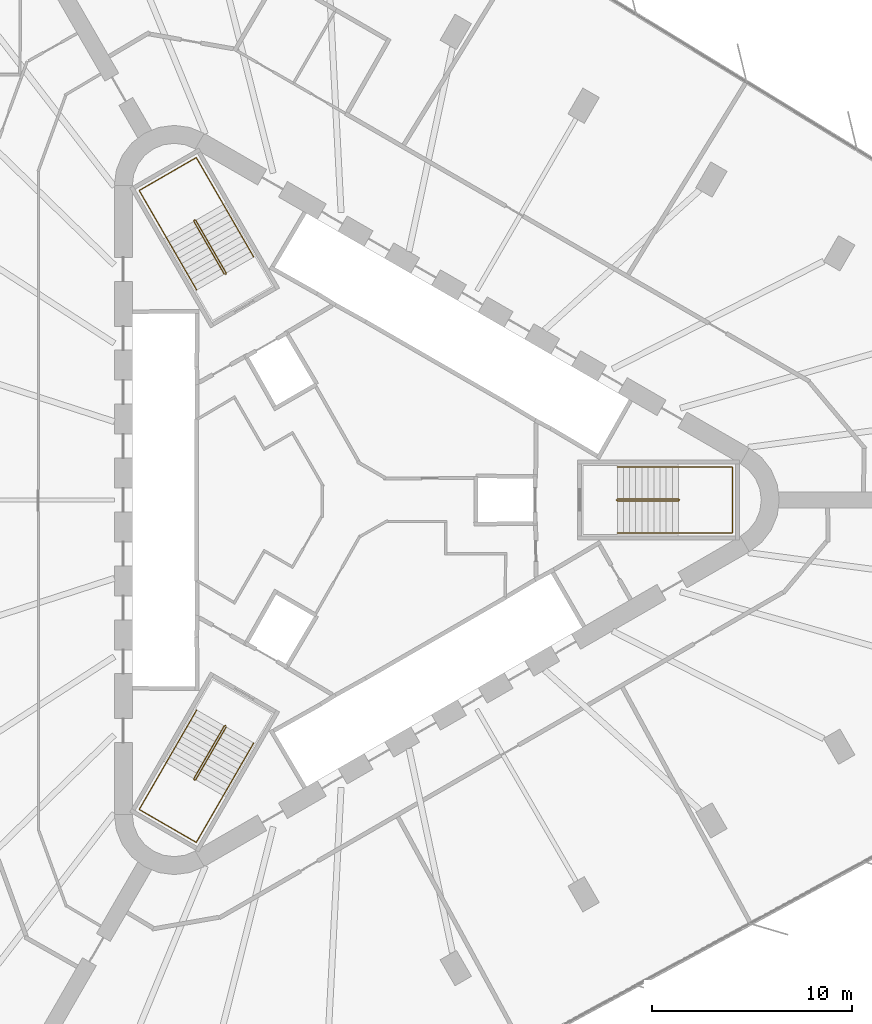
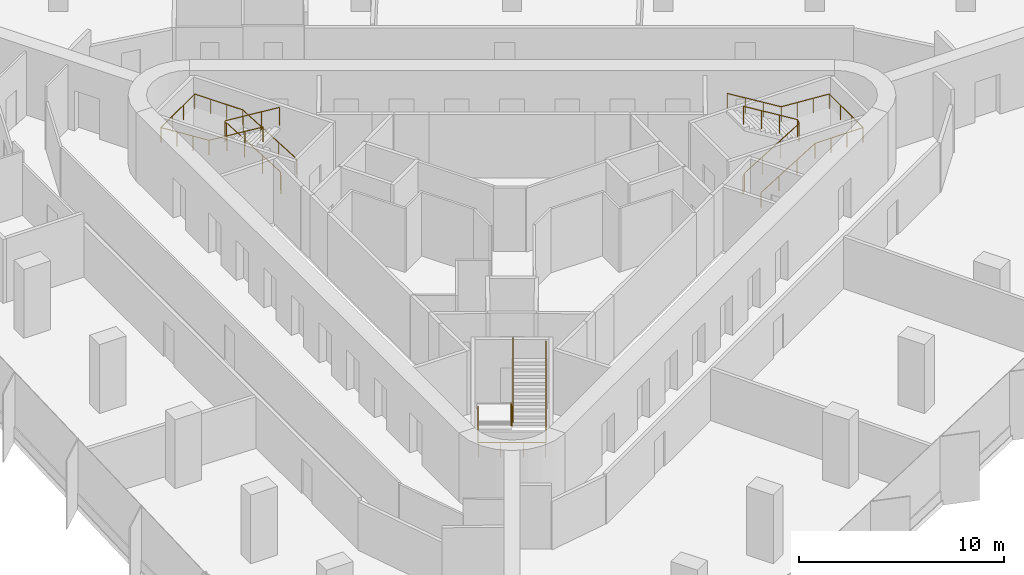
# One storey, part 14 of 14: 6 railings.
"""IFC4 building model written with IfcOpenShell, lengths in metres."""

from ifc_helpers import new_model, si_unit, direction, frame, origin, origin_2d, place, context, subcontext, project, spatial, circle, extrude, material, type_object, element, save


model = new_model("IFC4")

# Units and contexts
model_context = context("Model", 3, precision=1e-05, world=origin(), true_north=direction((0.0, 1.0)))
body_context = subcontext(model_context, "Body", "Model", "MODEL_VIEW")
ifc_project = project(units=[si_unit("LENGTHUNIT", "METRE"), si_unit("AREAUNIT", "SQUARE_METRE"), si_unit("VOLUMEUNIT", "CUBIC_METRE"), si_unit("PLANEANGLEUNIT", "RADIAN"), si_unit("MASSUNIT", "GRAM", prefix="KILO")], contexts=[model_context])

# Site, building, storey
site_placement = place(None, origin())
site = spatial("IfcSite", under=ifc_project, at=site_placement, CompositionType="ELEMENT")
building_placement = place(site_placement, origin())
building = spatial("IfcBuilding", under=site, at=building_placement, Name="Tanit Gate Tower", CompositionType="ELEMENT")
storey_placement = place(building_placement, frame((0.0, 0.0, 127.5)))
storey = spatial("IfcBuildingStorey", under=building, at=storey_placement, Name="L27", CompositionType="ELEMENT", Elevation=127.5)

# Railings
ifc_material_1 = material(Name="Stainless steel balustrade", Category="steel")
railing_type_1 = type_object("IfcRailingType", Name="INT-STAIR-GUARD", PredefinedType="GUARDRAIL", material=ifc_material_1)
railing_1_placement = place(storey_placement, frame((13.044921875, 0.0048828125, 0.0)))
element("IfcRailing", 1, at=railing_1_placement, inside=storey, type_object=railing_type_1, Name="L27 S1 stair guard 1", PredefinedType="GUARDRAIL", context=body_context, shape_type="SweptSolid", body=[
    extrude(circle(Radius=0.02392578125, at=origin_2d()), frame((0.0, 0.0, 1.076171875), z_axis=(0.0, -1.0, 0.0), x_axis=(1.0, 0.0, 0.0)), (0.0, 0.0, 1.0), 0.009765625),
    extrude(circle(Radius=0.02392578125, at=origin_2d()), frame((0.0, -0.009765625, 1.076171875), z_axis=(0.251157038772, -0.251157038772, 0.934794246747), x_axis=(0.707106781187, 0.707106781187, 0.0)), (0.0, 0.0, 1.0), 0.19921875),
    extrude(circle(Radius=0.02392578125, at=origin_2d()), frame((0.050048828125, -0.059814453125, 1.26220703125), z_axis=(0.853374658889, 0.0, 0.521298083217), x_axis=(0.0, 1.0, 0.0)), (0.0, 0.0, 1.0), 3.5751953125),
    extrude(circle(Radius=0.02392578125, at=origin_2d()), frame((3.10107421875, -0.059814453125, 3.1259765625), z_axis=(0.707106781187, 0.707106781187, 0.0), x_axis=(-0.707106781187, 0.707106781187, 0.0)), (0.0, 0.0, 1.0), 0.07080078125),
    extrude(circle(Radius=0.02392578125, at=origin_2d()), frame((3.151123046875, -0.009765625, 3.1259765625), z_axis=(0.0, 1.0, 0.0), x_axis=(-1.0, 0.0, 0.0)), (0.0, 0.0, 1.0), 0.009765625),
    extrude(circle(Radius=0.02392578125, at=origin_2d()), frame((3.151123046875, 0.0, 3.1259765625), z_axis=(-0.251157038772, 0.251157038772, 0.934794246747), x_axis=(-0.707106781187, -0.707106781187, 0.0)), (0.0, 0.0, 1.0), 0.19921875),
    extrude(circle(Radius=0.02392578125, at=origin_2d()), frame((3.10107421875, 0.050048828125, 3.3125), z_axis=(-0.853374658889, 0.0, 0.521298083217), x_axis=(0.0, -1.0, 0.0)), (0.0, 0.0, 1.0), 3.5751953125),
    extrude(circle(Radius=0.02099609375, at=origin_2d()), origin(), (0.0, 0.0, 1.0), 1.052001953125),
    extrude(circle(Radius=0.02099609375, at=origin_2d()), frame((0.0, -0.009765625, 0.0)), (0.0, 0.0, 1.0), 1.052001953125),
    extrude(circle(Radius=0.02099609375, at=origin_2d()), frame((0.050048828125, -0.059814453125, 0.186279296875)), (0.0, 0.0, 1.0), 1.052001953125),
    extrude(circle(Radius=0.02099609375, at=origin_2d()), frame((1.067138671875, -0.059814453125, 0.8076171875)), (0.0, 0.0, 1.0), 1.052001953125),
    extrude(circle(Radius=0.02099609375, at=origin_2d()), frame((2.083984375, -0.059814453125, 1.4287109375)), (0.0, 0.0, 1.0), 1.052001953125),
    extrude(circle(Radius=0.02099609375, at=origin_2d()), frame((3.10107421875, -0.059814453125, 2.050048828125)), (0.0, 0.0, 1.0), 1.052001953125),
    extrude(circle(Radius=0.02099609375, at=origin_2d()), frame((3.151123046875, -0.009765625, 2.050048828125)), (0.0, 0.0, 1.0), 1.052001953125),
    extrude(circle(Radius=0.02099609375, at=origin_2d()), frame((3.151123046875, 0.0, 2.050048828125)), (0.0, 0.0, 1.0), 1.052001953125),
    extrude(circle(Radius=0.02099609375, at=origin_2d()), frame((3.10107421875, 0.050048828125, 2.236328125)), (0.0, 0.0, 1.0), 1.052001953125),
    extrude(circle(Radius=0.02099609375, at=origin_2d()), frame((2.083984375, 0.050048828125, 2.857666015625)), (0.0, 0.0, 1.0), 1.052001953125),
    extrude(circle(Radius=0.02099609375, at=origin_2d()), frame((1.067138671875, 0.050048828125, 3.478759765625)), (0.0, 0.0, 1.0), 1.052001953125),
    extrude(circle(Radius=0.02099609375, at=origin_2d()), frame((0.050048828125, 0.050048828125, 4.10009765625)), (0.0, 0.0, 1.0), 1.052001953125),
])
railing_2_placement = place(storey_placement, frame((-6.527099609375, 11.29345703125, 0.0)))
element("IfcRailing", 2, at=railing_2_placement, inside=storey, type_object=railing_type_1, Name="L27 S2 stair guard 1", PredefinedType="GUARDRAIL", context=body_context, shape_type="SweptSolid", body=[
    extrude(circle(Radius=0.02392578125, at=origin_2d()), frame((0.0, 0.0, 1.076171875), z_axis=(0.868243142124, 0.496138938357, 0.0), x_axis=(-0.496138938357, 0.868243142124, 0.0)), (0.0, 0.0, 1.0), 0.01171875),
    extrude(circle(Radius=0.02392578125, at=origin_2d()), frame((0.01025390625, 0.005859375, 1.076171875), z_axis=(0.091888445584, 0.343050196848, 0.93481178641), x_axis=(-0.965948051503, 0.258736085224, 0.0)), (0.0, 0.0, 1.0), 0.19921875),
    extrude(circle(Radius=0.02392578125, at=origin_2d()), frame((0.028564453125, 0.07421875, 1.26220703125), z_axis=(-0.426636495959, 0.738911183393, 0.521528104107), x_axis=(-0.866012246495, -0.500022788402, 0.0)), (0.0, 0.0, 1.0), 3.57373046875),
    extrude(circle(Radius=0.02392578125, at=origin_2d()), frame((-1.49609375, 2.71484375, 3.1259765625), z_axis=(-0.965715946433, 0.259601060869, 0.0), x_axis=(-0.259601060869, -0.965715946433, 0.0)), (0.0, 0.0, 1.0), 0.070556640625),
    extrude(circle(Radius=0.02392578125, at=origin_2d()), frame((-1.564208984375, 2.733154296875, 3.1259765625), z_axis=(-0.873197702015, -0.487366159264, 0.0), x_axis=(0.487366159264, -0.873197702015, 0.0)), (0.0, 0.0, 1.0), 0.011962890625),
    extrude(circle(Radius=0.02392578125, at=origin_2d()), frame((-1.57470703125, 2.727294921875, 3.1259765625), z_axis=(-0.091888445584, -0.343050196848, 0.93481178641), x_axis=(0.965948051503, -0.258736085224, 0.0)), (0.0, 0.0, 1.0), 0.19921875),
    extrude(circle(Radius=0.02392578125, at=origin_2d()), frame((-1.593017578125, 2.658935546875, 3.3125), z_axis=(0.426636495959, -0.738911183393, 0.521528104107), x_axis=(0.866012246495, 0.500022788402, 0.0)), (0.0, 0.0, 1.0), 3.57373046875),
    extrude(circle(Radius=0.02099609375, at=origin_2d()), origin(), (0.0, 0.0, 1.0), 1.052001953125),
    extrude(circle(Radius=0.02099609375, at=origin_2d()), frame((0.01025390625, 0.005859375, 0.0)), (0.0, 0.0, 1.0), 1.052001953125),
    extrude(circle(Radius=0.02099609375, at=origin_2d()), frame((0.028564453125, 0.07421875, 0.186279296875)), (0.0, 0.0, 1.0), 1.052001953125),
    extrude(circle(Radius=0.02099609375, at=origin_2d()), frame((-0.479736328125, 0.954345703125, 0.8076171875)), (0.0, 0.0, 1.0), 1.052001953125),
    extrude(circle(Radius=0.02099609375, at=origin_2d()), frame((-0.98779296875, 1.834716796875, 1.4287109375)), (0.0, 0.0, 1.0), 1.052001953125),
    extrude(circle(Radius=0.02099609375, at=origin_2d()), frame((-1.49609375, 2.71484375, 2.050048828125)), (0.0, 0.0, 1.0), 1.052001953125),
    extrude(circle(Radius=0.02099609375, at=origin_2d()), frame((-1.564208984375, 2.733154296875, 2.050048828125)), (0.0, 0.0, 1.0), 1.052001953125),
    extrude(circle(Radius=0.02099609375, at=origin_2d()), frame((-1.57470703125, 2.727294921875, 2.050048828125)), (0.0, 0.0, 1.0), 1.052001953125),
    extrude(circle(Radius=0.02099609375, at=origin_2d()), frame((-1.593017578125, 2.658935546875, 2.236328125)), (0.0, 0.0, 1.0), 1.052001953125),
    extrude(circle(Radius=0.02099609375, at=origin_2d()), frame((-1.084716796875, 1.77880859375, 2.857666015625)), (0.0, 0.0, 1.0), 1.052001953125),
    extrude(circle(Radius=0.02099609375, at=origin_2d()), frame((-0.57666015625, 0.8984375, 3.478759765625)), (0.0, 0.0, 1.0), 1.052001953125),
    extrude(circle(Radius=0.02099609375, at=origin_2d()), frame((-0.068359375, 0.018310546875, 4.10009765625)), (0.0, 0.0, 1.0), 1.052001953125),
])
railing_3_placement = place(storey_placement, frame((-6.51806640625, -11.2998046875, 0.0)))
element("IfcRailing", 3, at=railing_3_placement, inside=storey, type_object=railing_type_1, Name="L27 S3 stair guard 1", PredefinedType="GUARDRAIL", context=body_context, shape_type="SweptSolid", body=[
    extrude(circle(Radius=0.02392578125, at=origin_2d()), frame((0.0, 0.0, 1.076171875), z_axis=(-0.874157276122, 0.485642931179, 0.0), x_axis=(-0.485642931179, -0.874157276122, 0.0)), (0.0, 0.0, 1.0), 0.010009765625),
    extrude(circle(Radius=0.02392578125, at=origin_2d()), frame((-0.0087890625, 0.0048828125, 1.076171875), z_axis=(-0.343088566343, -0.090673406819, 0.934916343285), x_axis=(0.255512919477, -0.966805641264, 0.0)), (0.0, 0.0, 1.0), 0.19921875),
    extrude(circle(Radius=0.02392578125, at=origin_2d()), frame((-0.0771484375, -0.01318359375, 1.26220703125), z_axis=(-0.42665336134, -0.739063593114, 0.52129829713), x_axis=(0.866048339477, -0.499960272111, 0.0)), (0.0, 0.0, 1.0), 3.5751953125),
    extrude(circle(Radius=0.02392578125, at=origin_2d()), frame((-1.6025390625, -2.655517578125, 3.1259765625), z_axis=(0.258736085224, -0.965948051503, 0.0), x_axis=(0.965948051503, 0.258736085224, 0.0)), (0.0, 0.0, 1.0), 0.07080078125),
    extrude(circle(Radius=0.02392578125, at=origin_2d()), frame((-1.584228515625, -2.723876953125, 3.1259765625), z_axis=(0.868243142124, -0.496138938357, 0.0), x_axis=(0.496138938357, 0.868243142124, 0.0)), (0.0, 0.0, 1.0), 0.009765625),
    extrude(circle(Radius=0.02392578125, at=origin_2d()), frame((-1.57568359375, -2.728759765625, 3.1259765625), z_axis=(0.343050196848, 0.091888445584, 0.93481178641), x_axis=(-0.258736085224, 0.965948051503, 0.0)), (0.0, 0.0, 1.0), 0.19921875),
    extrude(circle(Radius=0.02392578125, at=origin_2d()), frame((-1.50732421875, -2.71044921875, 3.3125), z_axis=(0.42673074944, 0.739011069041, 0.521309416102), x_axis=(-0.865993683553, 0.500054937028, 0.0)), (0.0, 0.0, 1.0), 3.5751953125),
    extrude(circle(Radius=0.02099609375, at=origin_2d()), origin(), (0.0, 0.0, 1.0), 1.052001953125),
    extrude(circle(Radius=0.02099609375, at=origin_2d()), frame((-0.0087890625, 0.0048828125, 0.0)), (0.0, 0.0, 1.0), 1.052001953125),
    extrude(circle(Radius=0.02099609375, at=origin_2d()), frame((-0.0771484375, -0.01318359375, 0.186279296875)), (0.0, 0.0, 1.0), 1.052001953125),
    extrude(circle(Radius=0.02099609375, at=origin_2d()), frame((-0.585693359375, -0.89404296875, 0.8076171875)), (0.0, 0.0, 1.0), 1.052001953125),
    extrude(circle(Radius=0.02099609375, at=origin_2d()), frame((-1.093994140625, -1.774658203125, 1.4287109375)), (0.0, 0.0, 1.0), 1.052001953125),
    extrude(circle(Radius=0.02099609375, at=origin_2d()), frame((-1.6025390625, -2.655517578125, 2.050048828125)), (0.0, 0.0, 1.0), 1.052001953125),
    extrude(circle(Radius=0.02099609375, at=origin_2d()), frame((-1.584228515625, -2.723876953125, 2.050048828125)), (0.0, 0.0, 1.0), 1.052001953125),
    extrude(circle(Radius=0.02099609375, at=origin_2d()), frame((-1.57568359375, -2.728759765625, 2.050048828125)), (0.0, 0.0, 1.0), 1.052001953125),
    extrude(circle(Radius=0.02099609375, at=origin_2d()), frame((-1.50732421875, -2.71044921875, 2.236328125)), (0.0, 0.0, 1.0), 1.052001953125),
    extrude(circle(Radius=0.02099609375, at=origin_2d()), frame((-0.998779296875, -1.829833984375, 2.857666015625)), (0.0, 0.0, 1.0), 1.052001953125),
    extrude(circle(Radius=0.02099609375, at=origin_2d()), frame((-0.490234375, -0.948974609375, 3.478759765625)), (0.0, 0.0, 1.0), 1.052001953125),
    extrude(circle(Radius=0.02099609375, at=origin_2d()), frame((0.018310546875, -0.068359375, 4.10009765625)), (0.0, 0.0, 1.0), 1.052001953125),
])
ifc_material_2 = material(Name="Stainless steel handrail", Category="steel")
railing_type_2 = type_object("IfcRailingType", Name="INT-STAIR-HANDRAIL", PredefinedType="HANDRAIL", material=ifc_material_2)
railing_4_placement = place(storey_placement, frame((13.094970703125, -1.64990234375, 0.186279296875)))
element("IfcRailing", 4, at=railing_4_placement, inside=storey, type_object=railing_type_2, Name="L27 S1 stair handrail 1", PredefinedType="HANDRAIL", context=body_context, shape_type="SweptSolid", body=[
    extrude(circle(Radius=0.02392578125, at=origin_2d()), frame((0.0, 0.0, 0.8759765625), z_axis=(0.853374658889, 0.0, 0.521298083217), x_axis=(0.0, 1.0, 0.0)), (0.0, 0.0, 1.0), 3.5751953125),
    extrude(circle(Radius=0.02392578125, at=origin_2d()), frame((3.051025390625, 0.0, 2.73974609375), z_axis=(1.0, 0.0, 0.0), x_axis=(0.0, 1.0, 0.0)), (0.0, 0.0, 1.0), 2.7041015625),
    extrude(circle(Radius=0.02392578125, at=origin_2d()), frame((5.755126953125, 0.0, 2.73974609375), z_axis=(0.0, 1.0, 0.0), x_axis=(-1.0, 0.0, 0.0)), (0.0, 0.0, 1.0), 3.2998046875),
    extrude(circle(Radius=0.02392578125, at=origin_2d()), frame((5.755126953125, 3.2998046875, 2.73974609375), z_axis=(-0.997635655124, 0.0, 0.06872481084), x_axis=(0.0, -1.0, 0.0)), (0.0, 0.0, 1.0), 2.71044921875),
    extrude(circle(Radius=0.02392578125, at=origin_2d()), frame((3.051025390625, 3.2998046875, 2.92578125), z_axis=(-0.853374658889, 0.0, 0.521298083217), x_axis=(0.0, -1.0, 0.0)), (0.0, 0.0, 1.0), 3.5751953125),
    extrude(circle(Radius=0.02099609375, at=origin_2d()), origin(), (0.0, 0.0, 1.0), 0.851806640625),
    extrude(circle(Radius=0.02099609375, at=origin_2d()), frame((1.01708984375, 0.0, 0.621337890625)), (0.0, 0.0, 1.0), 0.851806640625),
    extrude(circle(Radius=0.02099609375, at=origin_2d()), frame((2.033935546875, 0.0, 1.242431640625)), (0.0, 0.0, 1.0), 0.851806640625),
    extrude(circle(Radius=0.02099609375, at=origin_2d()), frame((3.051025390625, 0.0, 1.86376953125)), (0.0, 0.0, 1.0), 0.851806640625),
    extrude(circle(Radius=0.02099609375, at=origin_2d()), frame((3.952392578125, 0.0, 1.86376953125)), (0.0, 0.0, 1.0), 0.851806640625),
    extrude(circle(Radius=0.02099609375, at=origin_2d()), frame((4.853759765625, 0.0, 1.86376953125)), (0.0, 0.0, 1.0), 0.851806640625),
    extrude(circle(Radius=0.02099609375, at=origin_2d()), frame((5.755126953125, 0.0, 1.86376953125)), (0.0, 0.0, 1.0), 0.851806640625),
    extrude(circle(Radius=0.02099609375, at=origin_2d()), frame((5.755126953125, 1.099853515625, 1.86376953125)), (0.0, 0.0, 1.0), 0.851806640625),
    extrude(circle(Radius=0.02099609375, at=origin_2d()), frame((5.755126953125, 2.199951171875, 1.86376953125)), (0.0, 0.0, 1.0), 0.851806640625),
    extrude(circle(Radius=0.02099609375, at=origin_2d()), frame((5.755126953125, 3.2998046875, 1.86376953125)), (0.0, 0.0, 1.0), 0.851806640625),
    extrude(circle(Radius=0.02099609375, at=origin_2d()), frame((4.853759765625, 3.2998046875, 1.92578125)), (0.0, 0.0, 1.0), 0.851806640625),
    extrude(circle(Radius=0.02099609375, at=origin_2d()), frame((3.952392578125, 3.2998046875, 1.988037109375)), (0.0, 0.0, 1.0), 0.851806640625),
    extrude(circle(Radius=0.02099609375, at=origin_2d()), frame((3.051025390625, 3.2998046875, 2.050048828125)), (0.0, 0.0, 1.0), 0.851806640625),
    extrude(circle(Radius=0.02099609375, at=origin_2d()), frame((2.033935546875, 3.2998046875, 2.67138671875)), (0.0, 0.0, 1.0), 0.851806640625),
    extrude(circle(Radius=0.02099609375, at=origin_2d()), frame((1.01708984375, 3.2998046875, 3.29248046875)), (0.0, 0.0, 1.0), 0.851806640625),
    extrude(circle(Radius=0.02099609375, at=origin_2d()), frame((0.0, 3.2998046875, 3.913818359375)), (0.0, 0.0, 1.0), 0.851806640625),
])
railing_5_placement = place(storey_placement, frame((-5.1181640625, 12.164794921875, 0.186279296875)))
element("IfcRailing", 5, at=railing_5_placement, inside=storey, type_object=railing_type_2, Name="L27 S2 stair handrail 1", PredefinedType="HANDRAIL", context=body_context, shape_type="SweptSolid", body=[
    extrude(circle(Radius=0.02392578125, at=origin_2d()), frame((0.0, 0.0, 0.8759765625), z_axis=(-0.426580611902, 0.738932719144, 0.521543304174), x_axis=(-0.866046917185, -0.499962735845, 0.0)), (0.0, 0.0, 1.0), 3.573486328125),
    extrude(circle(Radius=0.02392578125, at=origin_2d()), frame((-1.5244140625, 2.640625, 2.73974609375), z_axis=(-0.500019123664, 0.86601436245, 0.0), x_axis=(-0.86601436245, -0.500019123664, 0.0)), (0.0, 0.0, 1.0), 2.70703125),
    extrude(circle(Radius=0.02392578125, at=origin_2d()), frame((-2.8779296875, 4.98486328125, 2.73974609375), z_axis=(-0.866008176907, -0.50002983664, 0.0), x_axis=(0.50002983664, -0.866008176907, 0.0)), (0.0, 0.0, 1.0), 3.300048828125),
    extrude(circle(Radius=0.02392578125, at=origin_2d()), frame((-5.73583984375, 3.334716796875, 2.73974609375), z_axis=(0.498878146149, -0.863948246966, 0.06865873476), x_axis=(0.865991810323, 0.500058181068, 0.0)), (0.0, 0.0, 1.0), 2.713134765625),
    extrude(circle(Radius=0.02392578125, at=origin_2d()), frame((-4.38232421875, 0.99072265625, 2.92578125), z_axis=(0.42661496006, -0.738942197433, 0.521501778238), x_axis=(0.866032263162, 0.499988119021, 0.0)), (0.0, 0.0, 1.0), 3.57373046875),
    extrude(circle(Radius=0.02099609375, at=origin_2d()), origin(), (0.0, 0.0, 1.0), 0.851806640625),
    extrude(circle(Radius=0.02099609375, at=origin_2d()), frame((-0.508056640625, 0.880126953125, 0.621337890625)), (0.0, 0.0, 1.0), 0.851806640625),
    extrude(circle(Radius=0.02099609375, at=origin_2d()), frame((-1.016357421875, 1.760498046875, 1.242431640625)), (0.0, 0.0, 1.0), 0.851806640625),
    extrude(circle(Radius=0.02099609375, at=origin_2d()), frame((-1.5244140625, 2.640625, 1.86376953125)), (0.0, 0.0, 1.0), 0.851806640625),
    extrude(circle(Radius=0.02099609375, at=origin_2d()), frame((-1.9755859375, 3.422119140625, 1.86376953125)), (0.0, 0.0, 1.0), 0.851806640625),
    extrude(circle(Radius=0.02099609375, at=origin_2d()), frame((-2.4267578125, 4.203369140625, 1.86376953125)), (0.0, 0.0, 1.0), 0.851806640625),
    extrude(circle(Radius=0.02099609375, at=origin_2d()), frame((-2.8779296875, 4.98486328125, 1.86376953125)), (0.0, 0.0, 1.0), 0.851806640625),
    extrude(circle(Radius=0.02099609375, at=origin_2d()), frame((-3.83056640625, 4.434814453125, 1.86376953125)), (0.0, 0.0, 1.0), 0.851806640625),
    extrude(circle(Radius=0.02099609375, at=origin_2d()), frame((-4.783203125, 3.884765625, 1.86376953125)), (0.0, 0.0, 1.0), 0.851806640625),
    extrude(circle(Radius=0.02099609375, at=origin_2d()), frame((-5.73583984375, 3.334716796875, 1.86376953125)), (0.0, 0.0, 1.0), 0.851806640625),
    extrude(circle(Radius=0.02099609375, at=origin_2d()), frame((-5.28466796875, 2.553466796875, 1.92578125)), (0.0, 0.0, 1.0), 0.851806640625),
    extrude(circle(Radius=0.02099609375, at=origin_2d()), frame((-4.83349609375, 1.77197265625, 1.988037109375)), (0.0, 0.0, 1.0), 0.851806640625),
    extrude(circle(Radius=0.02099609375, at=origin_2d()), frame((-4.38232421875, 0.99072265625, 2.050048828125)), (0.0, 0.0, 1.0), 0.851806640625),
    extrude(circle(Radius=0.02099609375, at=origin_2d()), frame((-3.8740234375, 0.1103515625, 2.67138671875)), (0.0, 0.0, 1.0), 0.851806640625),
    extrude(circle(Radius=0.02099609375, at=origin_2d()), frame((-3.365966796875, -0.769775390625, 3.29248046875)), (0.0, 0.0, 1.0), 0.851806640625),
    extrude(circle(Radius=0.02099609375, at=origin_2d()), frame((-2.857666015625, -1.650146484375, 3.913818359375)), (0.0, 0.0, 1.0), 0.851806640625),
])
railing_6_placement = place(storey_placement, frame((-7.9765625, -10.515625, 0.186279296875)))
element("IfcRailing", 6, at=railing_6_placement, inside=storey, type_object=railing_type_2, Name="L27 S3 stair handrail 1", PredefinedType="HANDRAIL", context=body_context, shape_type="SweptSolid", body=[
    extrude(circle(Radius=0.02392578125, at=origin_2d()), frame((0.0, 0.0, 0.8759765625), z_axis=(-0.42665336134, -0.739063593114, 0.52129829713), x_axis=(0.866048339477, -0.499960272111, 0.0)), (0.0, 0.0, 1.0), 3.5751953125),
    extrude(circle(Radius=0.02392578125, at=origin_2d()), frame((-1.525390625, -2.642333984375, 2.73974609375), z_axis=(-0.50004290449, -0.866000631449, 0.0), x_axis=(0.866000631449, -0.50004290449, 0.0)), (0.0, 0.0, 1.0), 2.703857421875),
    extrude(circle(Radius=0.02392578125, at=origin_2d()), frame((-2.87744140625, -4.98388671875, 2.73974609375), z_axis=(0.866008176907, -0.50002983664, 0.0), x_axis=(0.50002983664, 0.866008176907, 0.0)), (0.0, 0.0, 1.0), 3.300048828125),
    extrude(circle(Radius=0.02392578125, at=origin_2d()), frame((-0.01953125, -6.634033203125, 2.73974609375), z_axis=(0.498821607388, 0.86397559734, 0.068725331607), x_axis=(-0.866023205937, 0.500003806764, 0.0)), (0.0, 0.0, 1.0), 2.71044921875),
    extrude(circle(Radius=0.02392578125, at=origin_2d()), frame((1.33251953125, -4.292236328125, 2.92578125), z_axis=(0.42665336134, 0.739063593114, 0.52129829713), x_axis=(-0.866048339477, 0.499960272111, 0.0)), (0.0, 0.0, 1.0), 3.5751953125),
    extrude(circle(Radius=0.02099609375, at=origin_2d()), origin(), (0.0, 0.0, 1.0), 0.851806640625),
    extrude(circle(Radius=0.02099609375, at=origin_2d()), frame((-0.508544921875, -0.880859375, 0.621337890625)), (0.0, 0.0, 1.0), 0.851806640625),
    extrude(circle(Radius=0.02099609375, at=origin_2d()), frame((-1.016845703125, -1.761474609375, 1.242431640625)), (0.0, 0.0, 1.0), 0.851806640625),
    extrude(circle(Radius=0.02099609375, at=origin_2d()), frame((-1.525390625, -2.642333984375, 1.86376953125)), (0.0, 0.0, 1.0), 0.851806640625),
    extrude(circle(Radius=0.02099609375, at=origin_2d()), frame((-1.97607421875, -3.4228515625, 1.86376953125)), (0.0, 0.0, 1.0), 0.851806640625),
    extrude(circle(Radius=0.02099609375, at=origin_2d()), frame((-2.4267578125, -4.203369140625, 1.86376953125)), (0.0, 0.0, 1.0), 0.851806640625),
    extrude(circle(Radius=0.02099609375, at=origin_2d()), frame((-2.87744140625, -4.98388671875, 1.86376953125)), (0.0, 0.0, 1.0), 0.851806640625),
    extrude(circle(Radius=0.02099609375, at=origin_2d()), frame((-1.9248046875, -5.533935546875, 1.86376953125)), (0.0, 0.0, 1.0), 0.851806640625),
    extrude(circle(Radius=0.02099609375, at=origin_2d()), frame((-0.97216796875, -6.083984375, 1.86376953125)), (0.0, 0.0, 1.0), 0.851806640625),
    extrude(circle(Radius=0.02099609375, at=origin_2d()), frame((-0.01953125, -6.634033203125, 1.86376953125)), (0.0, 0.0, 1.0), 0.851806640625),
    extrude(circle(Radius=0.02099609375, at=origin_2d()), frame((0.43115234375, -5.853515625, 1.92578125)), (0.0, 0.0, 1.0), 0.851806640625),
    extrude(circle(Radius=0.02099609375, at=origin_2d()), frame((0.8818359375, -5.07275390625, 1.988037109375)), (0.0, 0.0, 1.0), 0.851806640625),
    extrude(circle(Radius=0.02099609375, at=origin_2d()), frame((1.33251953125, -4.292236328125, 2.050048828125)), (0.0, 0.0, 1.0), 0.851806640625),
    extrude(circle(Radius=0.02099609375, at=origin_2d()), frame((1.841064453125, -3.411376953125, 2.67138671875)), (0.0, 0.0, 1.0), 0.851806640625),
    extrude(circle(Radius=0.02099609375, at=origin_2d()), frame((2.349365234375, -2.53076171875, 3.29248046875)), (0.0, 0.0, 1.0), 0.851806640625),
    extrude(circle(Radius=0.02099609375, at=origin_2d()), frame((2.85791015625, -1.64990234375, 3.913818359375)), (0.0, 0.0, 1.0), 0.851806640625),
])

save(model, "model.ifc")
